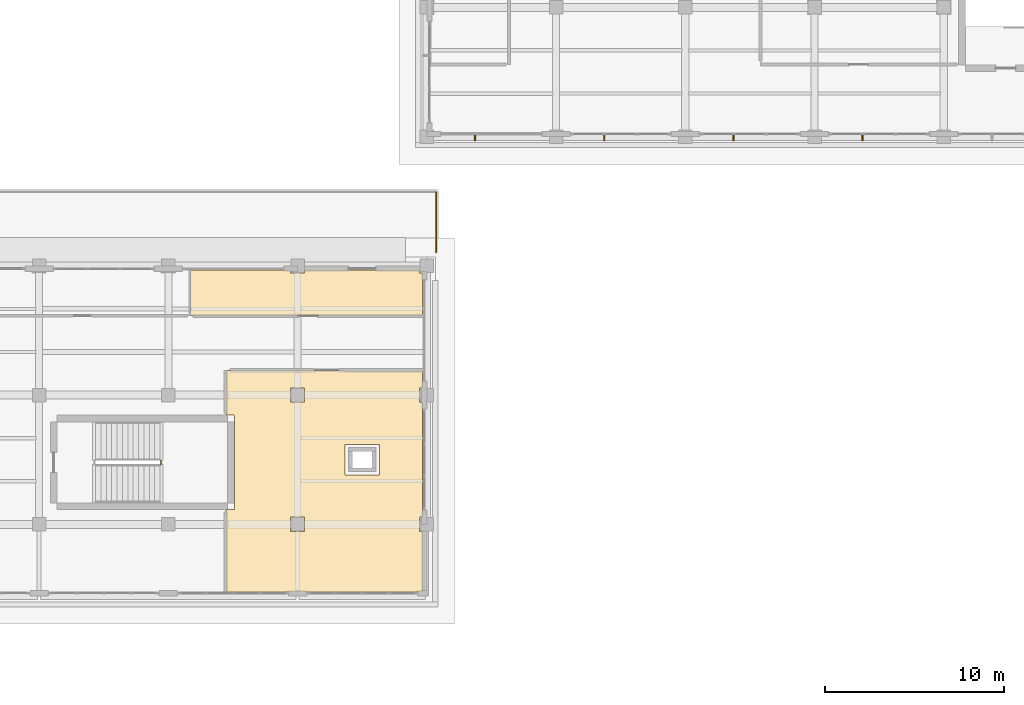
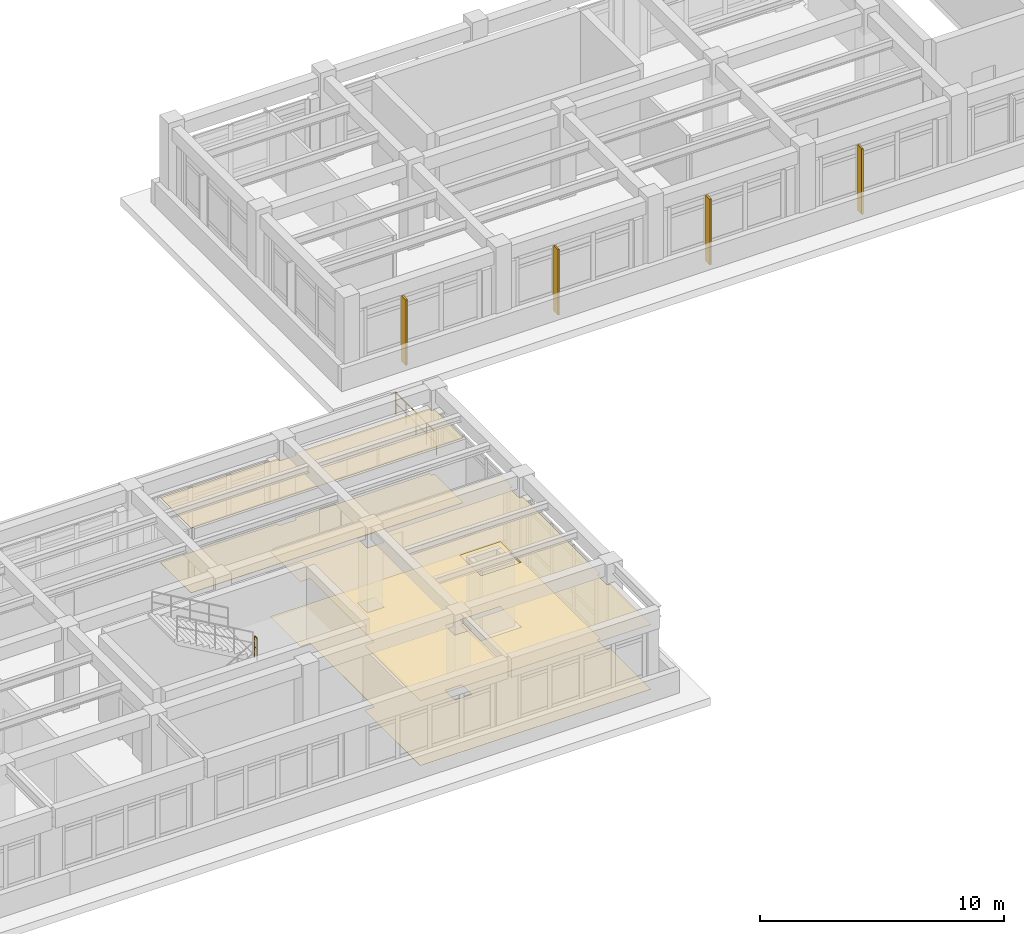
# One storey, part 58 of 64: 4 coverings, 4 shading devices, 2 railings.
"""IFC4 building model written with IfcOpenShell, lengths in metres."""

from ifc_helpers import new_model, si_unit, direction, frame, origin, origin_2d, place, context, subcontext, project, spatial, polyline, rectangle, circle, outline, extrude, material, layer, layer_set, material_profile, profile_set, type_object, element, save


model = new_model("IFC4")

# Units and contexts
model_context = context("Model", 3, precision=1e-05, world=origin(), true_north=direction((0.0, 1.0)))
body_context = subcontext(model_context, "Body", "Model", "MODEL_VIEW")
ifc_project = project(units=[si_unit("LENGTHUNIT", "METRE"), si_unit("AREAUNIT", "SQUARE_METRE"), si_unit("VOLUMEUNIT", "CUBIC_METRE"), si_unit("PLANEANGLEUNIT", "RADIAN"), si_unit("MASSUNIT", "GRAM", prefix="KILO")], contexts=[model_context])

# Site, building, storey
site_placement = place(None, origin())
site = spatial("IfcSite", under=ifc_project, at=site_placement, CompositionType="ELEMENT")
building_placement = place(site_placement, origin())
building = spatial("IfcBuilding", under=site, at=building_placement, Name="Solenvale Faculty of Natural Sciences", CompositionType="ELEMENT")
storey_placement = place(building_placement, frame((0.0, 0.0, 18.0)))
storey = spatial("IfcBuildingStorey", under=building, at=storey_placement, Name="L04", CompositionType="ELEMENT", Elevation=18.0)

# Coverings
ifc_material_1 = material(Name="Acoustic mineral-timber ceiling", Category="wood")
ifc_layer_1 = layer(ifc_material_1, 0.02490234375)
ifc_layer_set_1 = layer_set([ifc_layer_1], Name="Acoustic mineral-timber ceiling")
covering_type_1 = type_object("IfcCoveringType", Name="COV-CEIL-AC25", PredefinedType="CEILING", material=ifc_layer_set_1)
covering_1_placement = place(storey_placement, frame((0.0, 0.0, 3.235107421875)))
element("IfcCovering", 1, at=covering_1_placement, inside=storey, type_object=covering_type_1, Name="L04 Inorganic Chemistry Laboratory Acoustic Ceiling", PredefinedType="CEILING", context=body_context, shape_type="SweptSolid", body=[
    extrude(outline(polyline([(104.050048828125, 17.840087890625), (104.029052734375, 17.84912109375), (104.02001953125, 17.8701171875), (104.02001953125, 22.389892578125), (104.047119140625, 22.419921875), (104.451904296875, 22.419921875), (104.47998046875, 22.447998046875), (104.47998046875, 27.64990234375), (104.4541015625, 27.679931640625), (104.047119140625, 27.679931640625), (104.02099609375, 27.7041015625), (104.027099609375, 30.14892578125), (104.050048828125, 30.159912109375), (114.948974609375, 30.153076171875), (114.9599609375, 30.1298828125), (114.9599609375, 29.22705078125), (114.93603515625, 29.200927734375), (114.800048828125, 29.19189453125), (114.800048828125, 28.410888671875), (114.80908203125, 28.39990234375), (114.93896484375, 28.39892578125), (114.9599609375, 28.3701171875), (114.9599609375, 22.030029296875), (114.93603515625, 22.0009765625), (114.800048828125, 21.991943359375), (114.800048828125, 21.2109375), (114.80908203125, 21.199951171875), (114.93896484375, 21.198974609375), (114.9599609375, 21.169921875), (114.952880859375, 17.85107421875), (114.929931640625, 17.840087890625), (104.050048828125, 17.840087890625)]), holes=[polyline([(112.56005859375, 26.031982421875), (112.550048828125, 26.052001953125), (112.530029296875, 26.06005859375), (110.64990234375, 26.052001953125), (110.639892578125, 26.030029296875), (110.64794921875, 24.35009765625), (110.669921875, 24.340087890625), (112.550048828125, 24.347900390625), (112.56005859375, 24.3701171875), (112.56005859375, 26.031982421875)]), polyline([(107.611083984375, 22.0), (107.60009765625, 21.989013671875), (107.60302734375, 21.202880859375), (108.39697265625, 21.202880859375), (108.39697265625, 21.9970703125), (107.611083984375, 22.0)]), polyline([(107.611083984375, 29.199951171875), (107.60009765625, 29.18896484375), (107.60302734375, 28.403076171875), (108.39697265625, 28.403076171875), (108.39697265625, 29.197021484375), (107.611083984375, 29.199951171875)])]), origin(), (0.0, 0.0, 1.0), 0.02490234375),
])
covering_2_placement = place(storey_placement, frame((0.0, 0.0, 3.235107421875)))
element("IfcCovering", 2, at=covering_2_placement, inside=storey, type_object=covering_type_1, Name="L04 Seminar Room Acoustic Ceiling", PredefinedType="CEILING", context=body_context, shape_type="SweptSolid", body=[
    extrude(outline(polyline([(107.570068359375, 35.760009765625), (107.59912109375, 35.739013671875), (107.60009765625, 35.60888671875), (107.611083984375, 35.60009765625), (108.39208984375, 35.60009765625), (108.40087890625, 35.736083984375), (108.429931640625, 35.760009765625), (114.779052734375, 35.759033203125), (114.799072265625, 35.736083984375), (114.802978515625, 35.60302734375), (114.93603515625, 35.59912109375), (114.9599609375, 35.572998046875), (114.958984375, 33.260986328125), (114.929931640625, 33.239990234375), (102.070068359375, 33.239990234375), (102.0419921875, 33.259033203125), (102.0400390625, 35.72998046875), (102.05908203125, 35.758056640625), (107.570068359375, 35.760009765625)])), origin(), (0.0, 0.0, 1.0), 0.02490234375),
])
ifc_material_2 = material(Name="Polished slate terrazzo flooring", Category="masonry")
ifc_layer_2 = layer(ifc_material_2, 0.01806640625)
ifc_layer_set_2 = layer_set([ifc_layer_2], Name="Polished slate terrazzo flooring")
covering_type_2 = type_object("IfcCoveringType", Name="COV-FLR-TRZ18", PredefinedType="FLOORING", material=ifc_layer_set_2)
covering_3_placement = place(storey_placement, origin())
element("IfcCovering", 3, at=covering_3_placement, inside=storey, type_object=covering_type_2, Name="L04 Seminar Room Floor Finish", PredefinedType="FLOORING", context=body_context, shape_type="SweptSolid", body=[
    extrude(outline(polyline([(107.570068359375, 35.760009765625), (107.59912109375, 35.739013671875), (107.60009765625, 35.60888671875), (107.611083984375, 35.60009765625), (108.39208984375, 35.60009765625), (108.40087890625, 35.736083984375), (108.429931640625, 35.760009765625), (114.779052734375, 35.759033203125), (114.799072265625, 35.736083984375), (114.802978515625, 35.60302734375), (114.93603515625, 35.59912109375), (114.9599609375, 35.572998046875), (114.958984375, 33.260986328125), (114.929931640625, 33.239990234375), (102.070068359375, 33.239990234375), (102.0419921875, 33.259033203125), (102.0400390625, 35.72998046875), (102.05908203125, 35.758056640625), (107.570068359375, 35.760009765625)])), origin(), (0.0, 0.0, 1.0), 0.01806640625),
])
ifc_material_3 = material(Name="Seamless laboratory vinyl flooring")
ifc_layer_3 = layer(ifc_material_3, 0.008056640625)
ifc_layer_set_3 = layer_set([ifc_layer_3], Name="Seamless laboratory vinyl flooring")
covering_type_3 = type_object("IfcCoveringType", Name="COV-FLR-VNL08", PredefinedType="FLOORING", material=ifc_layer_set_3)
covering_4_placement = place(storey_placement, origin())
element("IfcCovering", 4, at=covering_4_placement, inside=storey, type_object=covering_type_3, Name="L04 Inorganic Chemistry Laboratory Floor Finish", PredefinedType="FLOORING", context=body_context, shape_type="SweptSolid", body=[
    extrude(outline(polyline([(104.050048828125, 17.840087890625), (104.029052734375, 17.84912109375), (104.02001953125, 17.8701171875), (104.02001953125, 22.389892578125), (104.047119140625, 22.419921875), (104.451904296875, 22.419921875), (104.47998046875, 22.447998046875), (104.47998046875, 27.64990234375), (104.4541015625, 27.679931640625), (104.047119140625, 27.679931640625), (104.02099609375, 27.7041015625), (104.027099609375, 30.14892578125), (104.050048828125, 30.159912109375), (114.948974609375, 30.153076171875), (114.9599609375, 30.1298828125), (114.9599609375, 29.22705078125), (114.93603515625, 29.200927734375), (114.800048828125, 29.19189453125), (114.800048828125, 28.410888671875), (114.80908203125, 28.39990234375), (114.93896484375, 28.39892578125), (114.9599609375, 28.3701171875), (114.9599609375, 22.030029296875), (114.93603515625, 22.0009765625), (114.800048828125, 21.991943359375), (114.800048828125, 21.2109375), (114.80908203125, 21.199951171875), (114.93896484375, 21.198974609375), (114.9599609375, 21.169921875), (114.952880859375, 17.85107421875), (114.929931640625, 17.840087890625), (104.050048828125, 17.840087890625)]), holes=[polyline([(112.56005859375, 26.031982421875), (112.550048828125, 26.052001953125), (112.530029296875, 26.06005859375), (110.64990234375, 26.052001953125), (110.639892578125, 26.030029296875), (110.64794921875, 24.35009765625), (110.669921875, 24.340087890625), (112.550048828125, 24.347900390625), (112.56005859375, 24.3701171875), (112.56005859375, 26.031982421875)]), polyline([(107.611083984375, 22.0), (107.60009765625, 21.989013671875), (107.60302734375, 21.202880859375), (108.39697265625, 21.202880859375), (108.39697265625, 21.9970703125), (107.611083984375, 22.0)]), polyline([(107.611083984375, 29.199951171875), (107.60009765625, 29.18896484375), (107.60302734375, 28.403076171875), (108.39697265625, 28.403076171875), (108.39697265625, 29.197021484375), (107.611083984375, 29.199951171875)])]), origin(), (0.0, 0.0, 1.0), 0.008056640625),
])

# Railings
ifc_material_4 = material(Name="Stainless steel Grade 304", Category="steel")
railing_type_1 = type_object("IfcRailingType", Name="RL-GRD-1100", PredefinedType="GUARDRAIL", material=ifc_material_4)
railing_1_placement = place(storey_placement, frame((100.389892578125, 24.949951171875, 2.25)))
element("IfcRailing", 5, at=railing_1_placement, inside=storey, type_object=railing_type_1, Name="L04 ST-07 stair guard 2", PredefinedType="GUARDRAIL", context=body_context, shape_type="SweptSolid", body=[
    extrude(circle(Radius=0.02392578125, at=origin_2d()), frame((0.0, 0.0, 1.09619140625), z_axis=(0.0, 1.0, 0.0), x_axis=(-1.0, 0.0, 0.0)), (0.0, 0.0, 1.0), 0.199951171875),
    extrude(circle(Radius=0.01611328125, at=origin_2d()), frame((0.0, 0.0, 0.56005859375), z_axis=(0.0, 1.0, 0.0), x_axis=(-1.0, 0.0, 0.0)), (0.0, 0.0, 1.0), 0.199951171875),
    extrude(circle(Radius=0.02099609375, at=origin_2d()), origin(), (0.0, 0.0, 1.0), 1.072021484375),
    extrude(circle(Radius=0.02099609375, at=origin_2d()), frame((0.0, 0.199951171875, 0.0)), (0.0, 0.0, 1.0), 1.072021484375),
])
railing_type_2 = type_object("IfcRailingType", Name="RL-TERR-1100", PredefinedType="GUARDRAIL", material=ifc_material_4)
railing_2_placement = place(storey_placement, frame((115.719970703125, 40.1201171875, 0.0)))
element("IfcRailing", 6, at=railing_2_placement, inside=storey, type_object=railing_type_2, Name="L04 Terrace Guardrail 1.1", PredefinedType="GUARDRAIL", context=body_context, shape_type="SweptSolid", body=[
    extrude(circle(Radius=0.02392578125, at=origin_2d()), frame((0.0, 0.0, 1.09619140625), z_axis=(0.0, -1.0, 0.0), x_axis=(1.0, 0.0, 0.0)), (0.0, 0.0, 1.0), 3.360107421875),
    extrude(circle(Radius=0.01611328125, at=origin_2d()), frame((0.0, 0.0, 0.56005859375), z_axis=(0.0, -1.0, 0.0), x_axis=(1.0, 0.0, 0.0)), (0.0, 0.0, 1.0), 3.360107421875),
    extrude(circle(Radius=0.02099609375, at=origin_2d()), origin(), (0.0, 0.0, 1.0), 1.072021484375),
    extrude(circle(Radius=0.02099609375, at=origin_2d()), frame((0.0, -0.840087890625, 0.0)), (0.0, 0.0, 1.0), 1.072021484375),
    extrude(circle(Radius=0.02099609375, at=origin_2d()), frame((0.0, -1.68017578125, 0.0)), (0.0, 0.0, 1.0), 1.072021484375),
    extrude(circle(Radius=0.02099609375, at=origin_2d()), frame((0.0, -2.52001953125, 0.0)), (0.0, 0.0, 1.0), 1.072021484375),
    extrude(circle(Radius=0.02099609375, at=origin_2d()), frame((0.0, -3.360107421875, 0.0)), (0.0, 0.0, 1.0), 1.072021484375),
])

# Shading devices
ifc_material_5 = material(Name="Anodised bronze aluminium", Category="aluminium")
ifc_material_profile = material_profile(ifc_material_5, rectangle(XDim=0.080078125, YDim=0.360107421875, at=origin_2d()), Name="ALU-FIN-80x360")
ifc_profile_set = profile_set([ifc_material_profile], Name="Anodised bronze aluminium")
shading_device_type = type_object("IfcShadingDeviceType", Name="SHD-FIN-360", PredefinedType="JALOUSIE", material=ifc_profile_set)
for number, where, z_axis, x_axis, name in (
    (7, (117.88330078125, 43.139892578125, -0.02001953125), (0.0, 0.0, 1.0), (1.0, 0.0, 0.0), "L04 Vertical Brise-Soleil Fin 1.1"),
    (8, (125.083251953125, 43.139892578125, -0.02001953125), (0.0, 0.0, 1.0), (1.0, 0.0, 0.0), "L04 Vertical Brise-Soleil Fin 1.2"),
    (9, (132.283447265625, 43.139892578125, -0.02001953125), (0.0, 0.0, 1.0), (1.0, 0.0, 0.0), "L04 Vertical Brise-Soleil Fin 1.3"),
    (10, (139.4833984375, 43.139892578125, -0.02001953125), (0.0, 0.0, 1.0), (1.0, 0.0, 0.0), "L04 Vertical Brise-Soleil Fin 1.4"),
):
    element("IfcShadingDevice", number, at=place(storey_placement, frame(where, z_axis=z_axis, x_axis=x_axis)), inside=storey, type_object=shading_device_type, Name=name, PredefinedType="JALOUSIE", context=body_context, shape_type="SweptSolid", body=[
        extrude(rectangle(XDim=0.080078125, YDim=0.360107421875, at=origin_2d()), origin(), (0.0, 0.0, 1.0), 3.280029296875),
    ])

save(model, "model.ifc")
